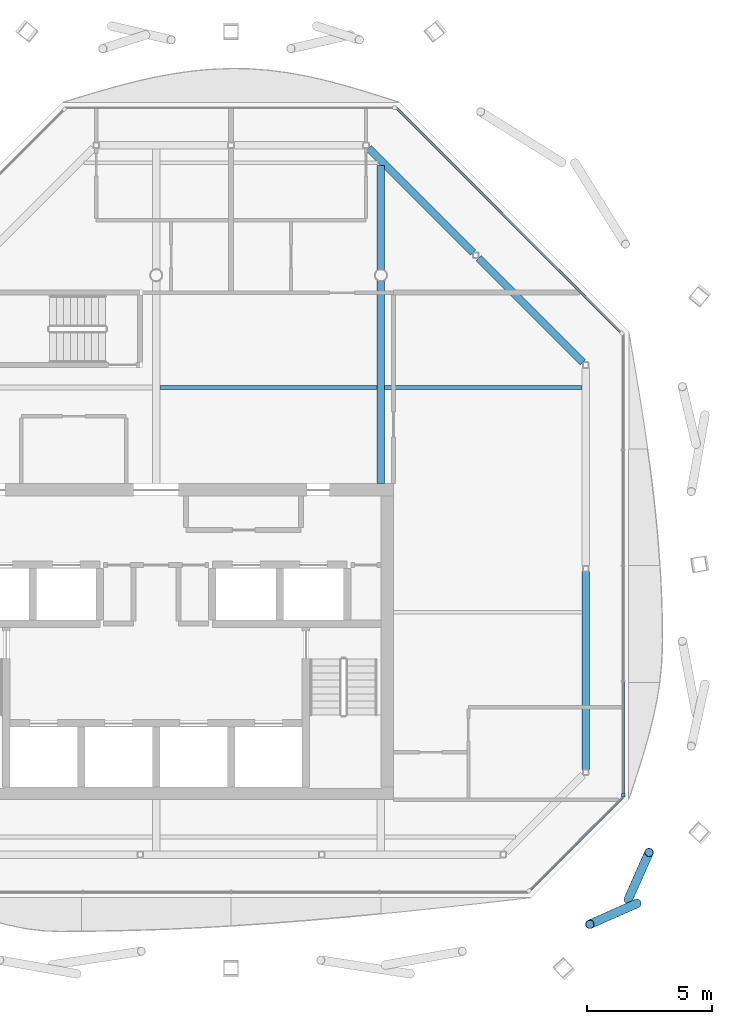
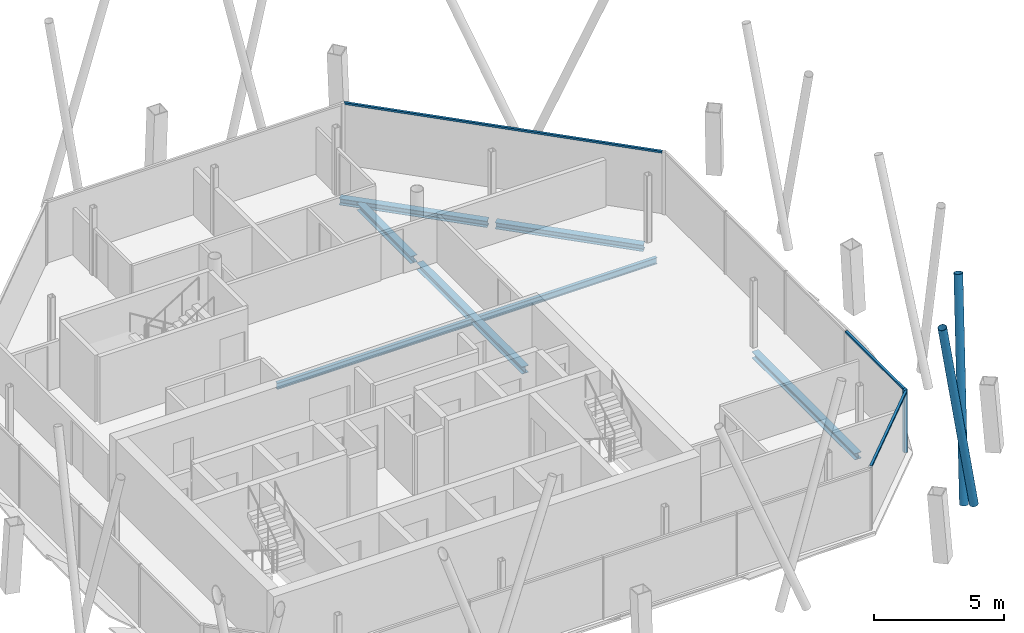
# One storey, part 6 of 13: 7 beams, 6 members, 3 elements without a shape of their own.
"""IFC4 building model written with IfcOpenShell, lengths in metres."""

from ifc_helpers import new_model, si_unit, direction, frame, origin, origin_2d, place, context, subcontext, project, spatial, rectangle, hollow_circle, i_section, extrude, material, material_profile, profile_set, type_object, element, aggregate, save


model = new_model("IFC4")

# Units and contexts
model_context = context("Model", 3, precision=1e-05, world=origin(), true_north=direction((0.0, 1.0)))
body_context = subcontext(model_context, "Body", "Model", "MODEL_VIEW")
ifc_project = project(units=[si_unit("LENGTHUNIT", "METRE"), si_unit("AREAUNIT", "SQUARE_METRE"), si_unit("VOLUMEUNIT", "CUBIC_METRE"), si_unit("PLANEANGLEUNIT", "RADIAN"), si_unit("MASSUNIT", "GRAM", prefix="KILO")], contexts=[model_context])

# Site, building, storey
site_placement = place(None, origin())
site = spatial("IfcSite", under=ifc_project, at=site_placement, CompositionType="ELEMENT")
building_placement = place(site_placement, origin())
building = spatial("IfcBuilding", under=site, at=building_placement, Name="Tskaro Facet Tower", CompositionType="ELEMENT")
storey_placement = place(building_placement, frame((0.0, 0.0, 278.39990234375)))
storey = spatial("IfcBuildingStorey", under=building, at=storey_placement, Name="L74", CompositionType="ELEMENT", Elevation=278.39990234375)

# Members
ifc_material_1 = material(Name="Steel S355J2H", Category="steel")
ifc_material_profile_1 = material_profile(ifc_material_1, hollow_circle(Radius=0.177734375, WallThickness=0.01611328125, at=origin_2d()), Name="CHS 355.6x16")
ifc_profile_set_1 = profile_set([ifc_material_profile_1], Name="Steel S355J2H")
member_type_1 = type_object("IfcMemberType", Name="CHS 355.6x16 brace", PredefinedType="BRACE", material=ifc_profile_set_1)
for number, where, z_axis, x_axis, name in (
    (1, (18.90283203125, -15.997802734375, 0.0), (0.086499264866, 0.194856820766, 0.97701008008), (-0.913992098731, 0.40573198476, 0.0), "CHS 355.6x16 XB03A/6"),
    (2, (19.249267578125, -16.154296875, 0.0), (-0.194856820766, -0.086499264866, 0.97701008008), (0.40573198476, -0.913992098731, 0.0), "CHS 355.6x16 XB03B/6"),
):
    element("IfcMember", number, at=place(storey_placement, frame(where, z_axis=z_axis, x_axis=x_axis)), inside=storey, type_object=member_type_1, Name=name, PredefinedType="BRACE", context=body_context, shape_type="SweptSolid", body=[
        extrude(hollow_circle(Radius=0.177734375, WallThickness=0.01611328125, at=origin_2d()), origin(), (0.0, 0.0, 1.0), 9.672607421875),
    ])

# Curtain wall, member
ifc_material_2 = material(Name="Bronze anodised aluminium 6063-T6", Category="aluminium")
curtain_wall_type = type_object("IfcCurtainWallType", Name="Bronze residence curtain wall (FW3)", PredefinedType="NOTDEFINED", material=ifc_material_2)
curtain_wall_1_placement = place(storey_placement, origin())
curtain_wall_1 = element("IfcCurtainWall", 3, at=curtain_wall_1_placement, inside=storey, type_object=curtain_wall_type, Name="FW3 east facet L74", PredefinedType="NOTDEFINED")
ifc_material_profile_2 = material_profile(ifc_material_2, rectangle(XDim=0.139892578125, YDim=0.139892578125, at=origin_2d()), Name="Corner post 140x140")
ifc_profile_set_2 = profile_set([ifc_material_profile_2], Name="Bronze anodised aluminium 6063-T6")
member_type_2 = type_object("IfcMemberType", Name="FW3 bronze corner post 140x140", PredefinedType="MULLION", material=ifc_profile_set_2)
member_1_placement = place(storey_placement, frame((18.697998046875, -11.81689453125, 0.0), z_axis=(0.0, 0.0, 1.0), x_axis=(0.0, 1.0, 0.0)))
member_1 = element("IfcMember", 4, at=member_1_placement, type_object=member_type_2, Name="FW3 east corner post", PredefinedType="MULLION", context=body_context, shape_type="SweptSolid", body=[
    extrude(rectangle(XDim=0.139892578125, YDim=0.139892578125, at=origin_2d()), origin(), (0.0, 0.0, 1.0), 2.9501953125),
])

curtain_wall_2_placement = place(storey_placement, origin())
curtain_wall_2 = element("IfcCurtainWall", 5, at=curtain_wall_2_placement, inside=storey, type_object=curtain_wall_type, Name="FW3 south-east facet L74", PredefinedType="NOTDEFINED")
ifc_material_profile_3 = material_profile(ifc_material_2, rectangle(XDim=0.10009765625, YDim=0.090087890625, at=origin_2d()), Name="Transom 100x90")
ifc_profile_set_3 = profile_set([ifc_material_profile_3], Name="Bronze anodised aluminium 6063-T6")
member_type_3 = type_object("IfcMemberType", Name="FW3 bronze transom 100x90", PredefinedType="USERDEFINED", material=ifc_profile_set_3)
member_2_placement = place(storey_placement, frame((14.986083984375, -15.59912109375, 2.905029296875), z_axis=(0.707083527597, 0.707130034012, 0.0), x_axis=(-0.707130034012, 0.707083527597, 0.0)))
member_2 = element("IfcMember", 6, at=member_2_placement, type_object=member_type_3, Name="FW3 south-east transom 1.1", ObjectType="TRANSOM", PredefinedType="USERDEFINED", context=body_context, shape_type="SweptSolid", body=[
    extrude(rectangle(XDim=0.10009765625, YDim=0.090087890625, at=origin_2d()), origin(), (0.0, 0.0, 1.0), 5.24951171875),
])
aggregate(curtain_wall_2, [member_2])

# Member
member_3_placement = place(storey_placement, frame((18.697998046875, -11.7470703125, 2.905029296875), z_axis=(0.0, 1.0, 0.0), x_axis=(-1.0, 0.0, 0.0)))
member_3 = element("IfcMember", 7, at=member_3_placement, type_object=member_type_3, Name="FW3 east transom 1.1", ObjectType="TRANSOM", PredefinedType="USERDEFINED", context=body_context, shape_type="SweptSolid", body=[
    extrude(rectangle(XDim=0.10009765625, YDim=0.090087890625, at=origin_2d()), origin(), (0.0, 0.0, 1.0), 4.46337890625),
])

aggregate(curtain_wall_1, [member_1, member_3])

# Curtain wall, member
curtain_wall_3_placement = place(storey_placement, origin())
curtain_wall_3 = element("IfcCurtainWall", 8, at=curtain_wall_3_placement, inside=storey, type_object=curtain_wall_type, Name="FW3 north-east facet L74", PredefinedType="NOTDEFINED")
member_4_placement = place(storey_placement, frame((18.59912109375, 6.72509765625, 2.905029296875), z_axis=(-0.707116400705, 0.707097161537, 0.0), x_axis=(-0.707097161537, -0.707116400705, 0.0)))
member_4 = element("IfcMember", 9, at=member_4_placement, type_object=member_type_3, Name="FW3 north-east transom 1.1", ObjectType="TRANSOM", PredefinedType="USERDEFINED", context=body_context, shape_type="SweptSolid", body=[
    extrude(rectangle(XDim=0.10009765625, YDim=0.090087890625, at=origin_2d()), origin(), (0.0, 0.0, 1.0), 12.689697265625),
])
aggregate(curtain_wall_3, [member_4])

# Beams
ifc_material_3 = material(Name="Steel S355J2", Category="steel")
ifc_material_profile_4 = material_profile(ifc_material_3, i_section(OverallWidth=0.300048828125, OverallDepth=0.300048828125, WebThickness=0.010986328125, FlangeThickness=0.01904296875, FilletRadius=0.027099609375, at=origin_2d()), Name="HE 300 B")
ifc_profile_set_4 = profile_set([ifc_material_profile_4], Name="Steel S355J2")
beam_type_1 = type_object("IfcBeamType", Name="HE 300 B ring beam", PredefinedType="BEAM", material=ifc_profile_set_4)
beam_1_placement = place(storey_placement, frame((17.199951171875, -10.798095703125, -0.289794921875), z_axis=(0.0, 1.0, 0.0), x_axis=(-1.0, 0.0, 0.0)))
element("IfcBeam", 10, at=beam_1_placement, inside=storey, type_object=beam_type_1, Name="HE 300 B EB5-6", PredefinedType="BEAM", context=body_context, shape_type="SweptSolid", body=[
    extrude(i_section(OverallWidth=0.300048828125, OverallDepth=0.300048828125, WebThickness=0.010986328125, FlangeThickness=0.01904296875, FilletRadius=0.027099609375, at=origin_2d()), origin(), (0.0, 0.0, 1.0), 7.943115234375),
])
for number, where, z_axis, x_axis, name in (
    (11, (17.089111328125, 5.513916015625, -0.289794921875), (-0.707024112481, 0.707189440228, 0.0), (-0.707189440228, -0.707024112481, 0.0), "HE 300 B EB7-6"),
    (12, (12.691162109375, 9.912841796875, -0.289794921875), (-0.707189440228, 0.707024112481, 0.0), (-0.707024112481, -0.707189440228, 0.0), "HE 300 B EB8-6"),
):
    element("IfcBeam", number, at=place(storey_placement, frame(where, z_axis=z_axis, x_axis=x_axis)), inside=storey, type_object=beam_type_1, Name=name, PredefinedType="BEAM", context=body_context, shape_type="SweptSolid", body=[
        extrude(i_section(OverallWidth=0.300048828125, OverallDepth=0.300048828125, WebThickness=0.010986328125, FlangeThickness=0.01904296875, FilletRadius=0.027099609375, at=origin_2d()), origin(), (0.0, 0.0, 1.0), 5.90673828125),
    ])
ifc_material_profile_5 = material_profile(ifc_material_3, i_section(OverallWidth=0.300048828125, OverallDepth=0.330078125, WebThickness=0.009521484375, FlangeThickness=0.0166015625, FilletRadius=0.027099609375, at=origin_2d()), Name="HE 340 A")
ifc_profile_set_5 = profile_set([ifc_material_profile_5], Name="Steel S355J2")
beam_type_2 = type_object("IfcBeamType", Name="HE 340 A girder", PredefinedType="BEAM", material=ifc_profile_set_5)
beam_2_placement = place(storey_placement, frame((9.0, 0.64990234375, -0.304931640625), z_axis=(0.0, 1.0, 0.0), x_axis=(-1.0, 0.0, 0.0)))
element("IfcBeam", 13, at=beam_2_placement, inside=storey, type_object=beam_type_2, Name="HE 340 A GB5-2-6", PredefinedType="BEAM", context=body_context, shape_type="SweptSolid", body=[
    extrude(i_section(OverallWidth=0.300048828125, OverallDepth=0.330078125, WebThickness=0.009521484375, FlangeThickness=0.0166015625, FilletRadius=0.027099609375, at=origin_2d()), origin(), (0.0, 0.0, 1.0), 8.1259765625),
])
beam_3_placement = place(storey_placement, frame((9.0, 9.22412109375, -0.304931640625), z_axis=(0.0, 1.0, 0.0), x_axis=(-1.0, 0.0, 0.0)))
element("IfcBeam", 14, at=beam_3_placement, inside=storey, type_object=beam_type_2, Name="HE 340 A GB5-3-6", PredefinedType="BEAM", context=body_context, shape_type="SweptSolid", body=[
    extrude(i_section(OverallWidth=0.300048828125, OverallDepth=0.330078125, WebThickness=0.009521484375, FlangeThickness=0.0166015625, FilletRadius=0.027099609375, at=origin_2d()), origin(), (0.0, 0.0, 1.0), 4.1669921875),
])
ifc_material_profile_6 = material_profile(ifc_material_3, i_section(OverallWidth=0.14990234375, OverallDepth=0.300048828125, WebThickness=0.007080078125, FlangeThickness=0.0107421875, FilletRadius=0.014892578125, at=origin_2d()), Name="IPE 300")
ifc_profile_set_6 = profile_set([ifc_material_profile_6], Name="Steel S355J2")
beam_type_3 = type_object("IfcBeamType", Name="IPE 300 secondary beam", PredefinedType="BEAM", material=ifc_profile_set_6)
beam_4_placement = place(storey_placement, frame((0.14990234375, 4.5, -0.289794921875), z_axis=(1.0, 0.0, 0.0), x_axis=(0.0, 1.0, 0.0)))
element("IfcBeam", 15, at=beam_4_placement, inside=storey, type_object=beam_type_3, Name="IPE 300 SB4a-2-6", PredefinedType="BEAM", context=body_context, shape_type="SweptSolid", body=[
    extrude(i_section(OverallWidth=0.14990234375, OverallDepth=0.300048828125, WebThickness=0.007080078125, FlangeThickness=0.0107421875, FilletRadius=0.014892578125, at=origin_2d()), origin(), (0.0, 0.0, 1.0), 8.7001953125),
])
beam_5_placement = place(storey_placement, frame((9.14990234375, 4.5, -0.289794921875), z_axis=(1.0, 0.0, 0.0), x_axis=(0.0, 1.0, 0.0)))
element("IfcBeam", 16, at=beam_5_placement, inside=storey, type_object=beam_type_3, Name="IPE 300 SB4a-3-6", PredefinedType="BEAM", context=body_context, shape_type="SweptSolid", body=[
    extrude(i_section(OverallWidth=0.14990234375, OverallDepth=0.300048828125, WebThickness=0.007080078125, FlangeThickness=0.0107421875, FilletRadius=0.014892578125, at=origin_2d()), origin(), (0.0, 0.0, 1.0), 7.900146484375),
])

save(model, "model.ifc")
